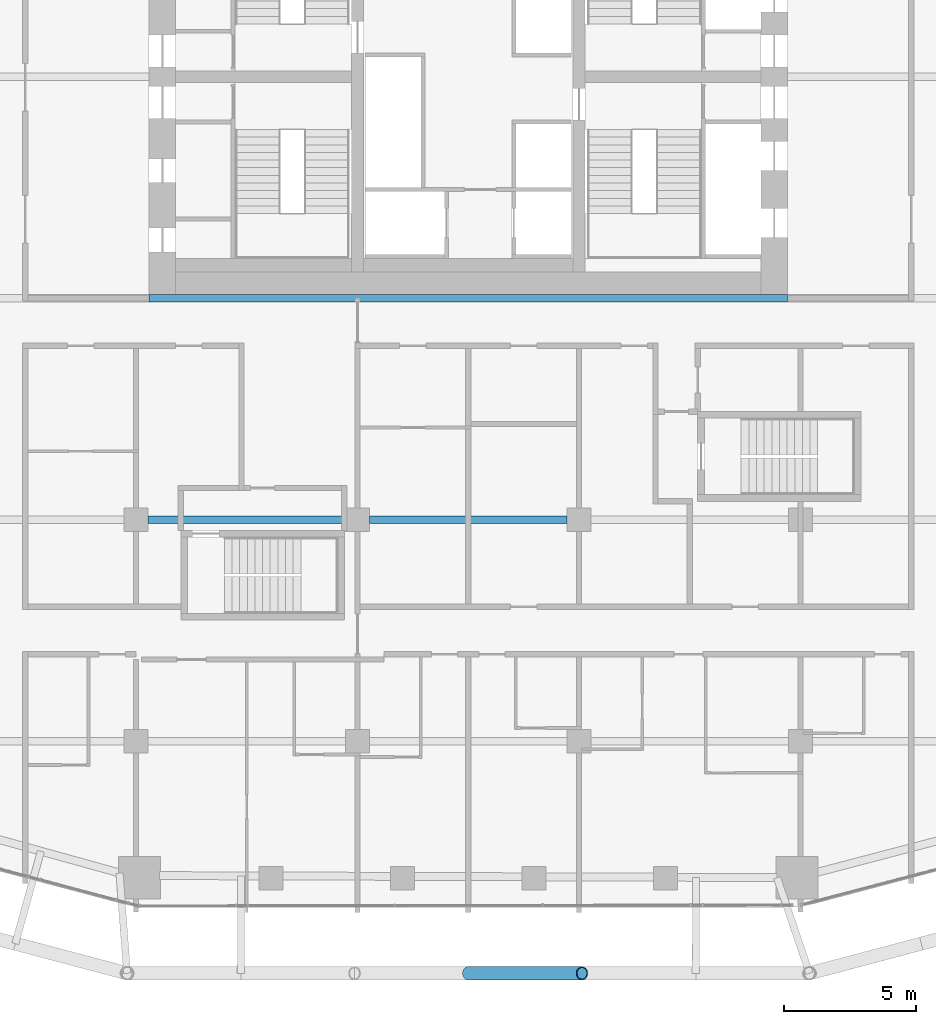
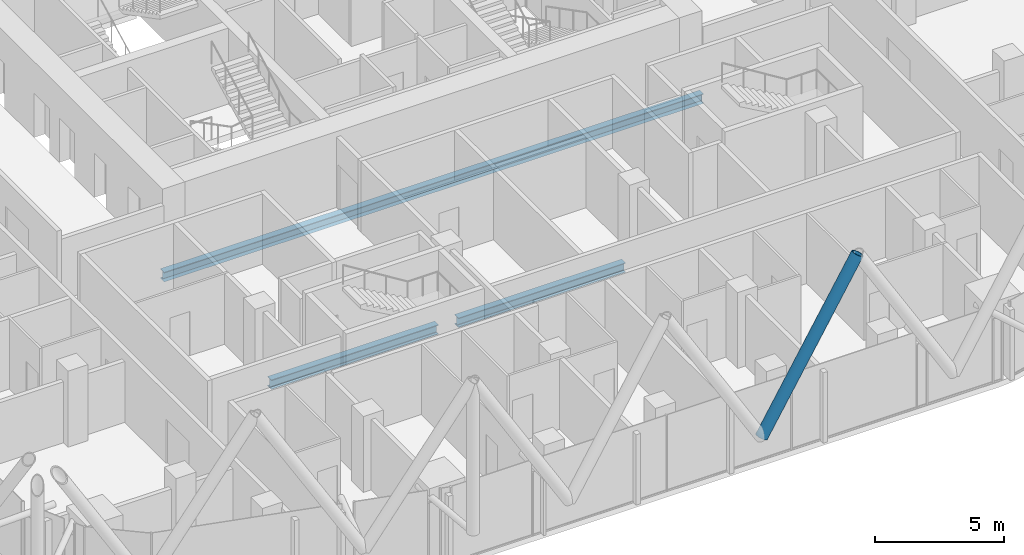
# One storey, part 5 of 36: 3 beams, 1 member.
"""IFC4 building model written with IfcOpenShell, lengths in metres."""

from ifc_helpers import new_model, si_unit, direction, frame, origin, origin_2d, place, context, subcontext, project, spatial, hollow_circle, i_section, extrude, material, material_profile, profile_set, type_object, element, save


model = new_model("IFC4")

# Units and contexts
model_context = context("Model", 3, precision=1e-05, world=origin(), true_north=direction((0.0, 1.0)))
body_context = subcontext(model_context, "Body", "Model", "MODEL_VIEW")
ifc_project = project(units=[si_unit("LENGTHUNIT", "METRE"), si_unit("AREAUNIT", "SQUARE_METRE"), si_unit("VOLUMEUNIT", "CUBIC_METRE"), si_unit("PLANEANGLEUNIT", "RADIAN"), si_unit("MASSUNIT", "GRAM", prefix="KILO")], contexts=[model_context])

# Site, building, storey
site_placement = place(None, origin())
site = spatial("IfcSite", under=ifc_project, at=site_placement, CompositionType="ELEMENT")
building_placement = place(site_placement, origin())
building = spatial("IfcBuilding", under=site, at=building_placement, Name="Marenta Gate Hotel Tower", CompositionType="ELEMENT")
storey_placement = place(building_placement, frame((0.0, 0.0, 158.89990234375)))
storey = spatial("IfcBuildingStorey", under=building, at=storey_placement, Name="L37", CompositionType="ELEMENT", Elevation=158.89990234375)

# Member
ifc_material_1 = material(Name="Steel S355J2W", Category="steel")
ifc_material_profile_1 = material_profile(ifc_material_1, hollow_circle(Radius=0.25390625, WallThickness=0.0400390625, at=origin_2d()), Name="CHS 508x40")
ifc_profile_set_1 = profile_set([ifc_material_profile_1], Name="Steel S355J2W")
member_type = type_object("IfcMemberType", Name="Diagrid diagonal Z2 CHS 508x40", PredefinedType="BRACE", material=ifc_profile_set_1)
member_placement = place(storey_placement, frame((0.0, -25.60009765625, 3.14013671875), z_axis=(0.513883902774, 0.0, 0.857859740558), x_axis=(0.0, 1.0, 0.0)))
element("IfcMember", 1, at=member_placement, inside=storey, type_object=member_type, Name="L37-DG-17", PredefinedType="BRACE", context=body_context, shape_type="SweptSolid", body=[
    extrude(hollow_circle(Radius=0.25390625, WallThickness=0.0400390625, at=origin_2d()), origin(), (0.0, 0.0, 1.0), 8.392822265625),
])

# Beams
ifc_material_2 = material(Name="Steel S355", Category="steel")
ifc_material_profile_2 = material_profile(ifc_material_2, i_section(OverallWidth=0.300048828125, OverallDepth=0.449951171875, WebThickness=0.013916015625, FlangeThickness=0.02587890625, FilletRadius=0.027099609375, at=origin_2d()), Name="HEB 450")
ifc_profile_set_2 = profile_set([ifc_material_profile_2], Name="Steel S355")
beam_type = type_object("IfcBeamType", Name="Girder HEB 450", PredefinedType="BEAM", material=ifc_profile_set_2)
for number, where, z_axis, x_axis, name in (
    (2, (-12.14990234375, -8.39990234375, -0.48486328125), (1.0, 0.0, 0.0), (0.0, 1.0, 0.0), "L37-GD-10"),
    (3, (-3.75, -8.39990234375, -0.48486328125), (1.0, 0.0, 0.0), (0.0, 1.0, 0.0), "L37-GD-11"),
):
    element("IfcBeam", number, at=place(storey_placement, frame(where, z_axis=z_axis, x_axis=x_axis)), inside=storey, type_object=beam_type, Name=name, PredefinedType="BEAM", context=body_context, shape_type="SweptSolid", body=[
        extrude(i_section(OverallWidth=0.300048828125, OverallDepth=0.449951171875, WebThickness=0.013916015625, FlangeThickness=0.02587890625, FilletRadius=0.027099609375, at=origin_2d()), origin(), (0.0, 0.0, 1.0), 7.5),
    ])
beam_placement = place(storey_placement, frame((-12.10009765625, 0.0, -0.48486328125), z_axis=(1.0, 0.0, 0.0), x_axis=(0.0, 1.0, 0.0)))
element("IfcBeam", 4, at=beam_placement, inside=storey, type_object=beam_type, Name="L37-GD-17", PredefinedType="BEAM", context=body_context, shape_type="SweptSolid", body=[
    extrude(i_section(OverallWidth=0.300048828125, OverallDepth=0.449951171875, WebThickness=0.013916015625, FlangeThickness=0.02587890625, FilletRadius=0.027099609375, at=origin_2d()), origin(), (0.0, 0.0, 1.0), 24.2001953125),
])

save(model, "model.ifc")
